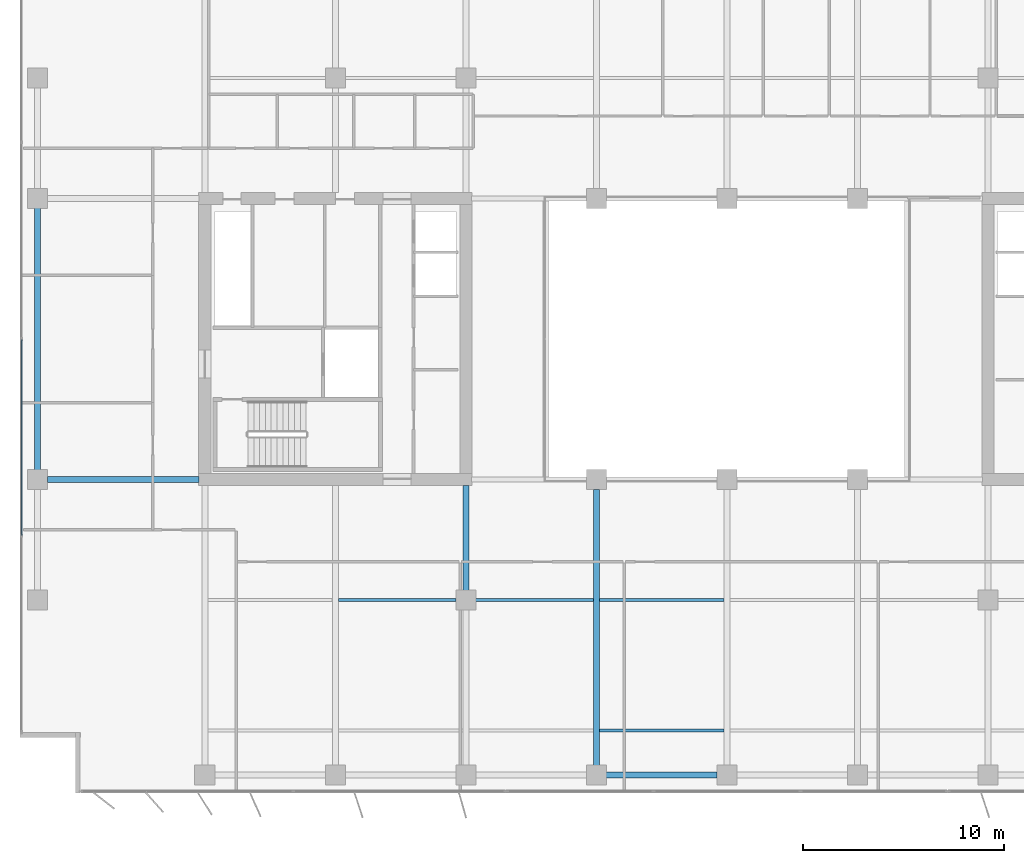
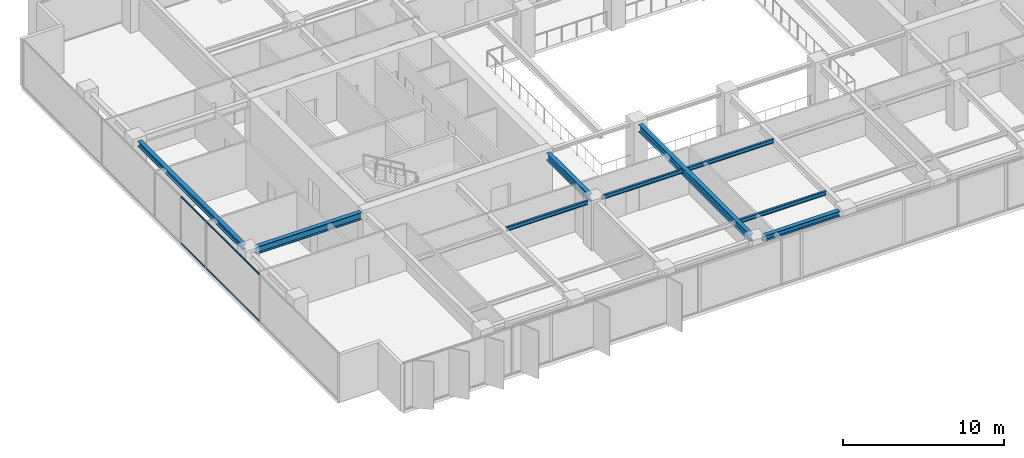
# One storey, part 3 of 22: 9 beams, 2 members, 1 element without a shape of its own.
"""IFC4 building model written with IfcOpenShell, lengths in metres."""

import ifcopenshell
import ifcopenshell.guid

model = None  # the IFC model being written
_history = None  # IfcOwnerHistory: only IFC2X3 demands one
_inside = {}  # id of a spatial element -> (the spatial element, [elements in it])
_under = {}  # id of a project, library or spatial element -> (it, [spatial elements below it])
_declared = {}  # id of a project -> (the project, [libraries it declares])
_typed = {}  # id of a type object -> (the type object, [elements of that type])
_made_of = {}  # id of a material, layer set ... -> (it, [elements and type objects made of it])


def new_model(schema):
    """Start an empty IFC model of exactly this schema.

    Asked for "IFC4X3", IfcOpenShell would pick the latest addendum, in which some entities
    have other attributes; the version numbers below select the first issue.
    IFC2X3 requires an IfcOwnerHistory on every rooted entity: one is made here for all.
    """
    global model, _history
    if schema == "IFC4X3":
        model = ifcopenshell.file(schema_version=(4, 3, 0, 0))
    else:
        model = ifcopenshell.file(schema=schema)
    _inside.clear()
    _under.clear()
    _declared.clear()
    _typed.clear()
    _made_of.clear()
    _history = None
    if model.schema == "IFC2X3":
        org = make("IfcOrganization", Name="unknown")
        user = make(
            "IfcPersonAndOrganization",
            ThePerson=make("IfcPerson", FamilyName="unknown"),
            TheOrganization=org,
        )
        app = make(
            "IfcApplication",
            ApplicationDeveloper=org,
            Version="unknown",
            ApplicationFullName="unknown",
            ApplicationIdentifier="unknown",
        )
        _history = make(
            "IfcOwnerHistory",
            OwningUser=user,
            OwningApplication=app,
            ChangeAction="ADDED",
            CreationDate=0,
        )
    return model


def make(cls, **values):
    """One entity of the class cls with the attributes given. An attribute that is None is left unset."""
    return model.create_entity(
        cls, **{name: value for name, value in values.items() if value is not None}
    )


def rooted(cls, **values):
    """An entity with a GlobalId (a new one), such as an element, a storey or a relation."""
    return make(cls, GlobalId=ifcopenshell.guid.new(), OwnerHistory=_history, **values)


def si_unit(unit_type, name, prefix=None):
    """IfcSIUnit, for example si_unit("LENGTHUNIT", "METRE", prefix="MILLI")."""
    return make("IfcSIUnit", UnitType=unit_type, Prefix=prefix, Name=name)


def assignment(units):
    """IfcUnitAssignment: the units of a project."""
    return None if units is None else make("IfcUnitAssignment", Units=units)


def point(xyz):
    """IfcCartesianPoint."""
    return None if xyz is None else make("IfcCartesianPoint", Coordinates=xyz)


def direction(xyz):
    """IfcDirection."""
    return None if xyz is None else make("IfcDirection", DirectionRatios=xyz)


def frame(location, z_axis=None, x_axis=None):
    """IfcAxis2Placement3D, a coordinate frame: its origin and axes. An axis left out is left unset."""
    return make(
        "IfcAxis2Placement3D",
        Location=point(location),
        Axis=direction(z_axis),
        RefDirection=direction(x_axis),
    )


def frame_2d(location, x_axis=None):
    """IfcAxis2Placement2D, a coordinate frame in the plane: its origin and x axis."""
    return make(
        "IfcAxis2Placement2D", Location=point(location), RefDirection=direction(x_axis)
    )


def origin():
    """The frame at (0, 0, 0) with its axes left unset."""
    return frame((0.0, 0.0, 0.0))


def origin_2d():
    """The frame at (0, 0) in the plane with its x axis left unset."""
    return frame_2d((0.0, 0.0))


def place(relative_to, where):
    """IfcLocalPlacement: puts the frame where relative to a parent placement (None: the world)."""
    return make(
        "IfcLocalPlacement", PlacementRelTo=relative_to, RelativePlacement=where
    )


def context(
    kind, dimensions, precision=None, world=None, true_north=None, identifier=None
):
    """IfcGeometricRepresentationContext, for example the 3D "Model" context."""
    return make(
        "IfcGeometricRepresentationContext",
        ContextIdentifier=identifier,
        ContextType=kind,
        CoordinateSpaceDimension=dimensions,
        Precision=precision,
        WorldCoordinateSystem=world,
        TrueNorth=true_north,
    )


def subcontext(parent, identifier, kind, view, scale=None):
    """IfcGeometricRepresentationSubContext, for example "Body" below "Model"."""
    return make(
        "IfcGeometricRepresentationSubContext",
        ContextIdentifier=identifier,
        ContextType=kind,
        ParentContext=parent,
        TargetScale=scale,
        TargetView=view,
    )


def project(units=None, contexts=None):
    """IfcProject with its units and contexts."""
    return rooted(
        "IfcProject",
        Name="project",
        RepresentationContexts=contexts,
        UnitsInContext=assignment(units),
    )


def spatial(cls, under=None, at=None, **own):
    """A site, building, storey or space (cls), placed at a placement, below another one or the project."""
    s = rooted(cls, ObjectPlacement=at, **own)
    if under is not None:
        _under.setdefault(under.id(), (under, []))[1].append(s)
    return s


def profile(cls, at=None, kind="AREA", **sizes):
    """A parametric profile (cls). Its sizes go by their IFC names, for example OverallWidth=200.0."""
    return make(cls, ProfileType=kind, Position=at, **sizes)


def rectangle(**sizes):
    """IfcRectangleProfileDef."""
    return profile("IfcRectangleProfileDef", **sizes)


def i_section(**sizes):
    """IfcIShapeProfileDef."""
    return profile("IfcIShapeProfileDef", **sizes)


def extrude(swept, where, along, depth):
    """IfcExtrudedAreaSolid: the profile swept, set in the frame where, extruded along a direction by depth."""
    return make(
        "IfcExtrudedAreaSolid",
        SweptArea=swept,
        Position=where,
        ExtrudedDirection=direction(along),
        Depth=depth,
    )


def shape(context_of_items, identifier, shape_type, items):
    """IfcShapeRepresentation: the items that make up one representation, for example the "Body"."""
    return make(
        "IfcShapeRepresentation",
        ContextOfItems=context_of_items,
        RepresentationIdentifier=identifier,
        RepresentationType=shape_type,
        Items=items,
    )


def material(Name=None, Category=None):
    """IfcMaterial."""
    return make("IfcMaterial", Name=Name, Category=Category)


def layer(
    of_material, thickness, ventilated=None, Name=None, Category=None, Priority=None
):
    """IfcMaterialLayer: one layer of a wall or slab, of a material (None: an air gap)."""
    return make(
        "IfcMaterialLayer",
        Material=of_material,
        LayerThickness=thickness,
        IsVentilated=ventilated,
        Name=Name,
        Category=Category,
        Priority=Priority,
    )


def layer_set(layers, Name=None):
    """IfcMaterialLayerSet."""
    return make("IfcMaterialLayerSet", MaterialLayers=layers, LayerSetName=Name)


def material_profile(
    of_material, cross_section, Name=None, Category=None, Priority=None
):
    """IfcMaterialProfile: a cross section and its material."""
    return make(
        "IfcMaterialProfile",
        Name=Name,
        Material=of_material,
        Profile=cross_section,
        Priority=Priority,
        Category=Category,
    )


def profile_set(profiles, Name=None, composite=None):
    """IfcMaterialProfileSet."""
    return make(
        "IfcMaterialProfileSet",
        Name=Name,
        MaterialProfiles=profiles,
        CompositeProfile=composite,
    )


def made_of(thing, what):
    """Note that an element or type object is made of a material, layer set ...; save() writes the relation."""
    if what is not None:
        _made_of.setdefault(what.id(), (what, []))[1].append(thing)
    return thing


def type_object(cls, material=None, **own):
    """A type object (cls), such as IfcWallType, which elements share."""
    return made_of(rooted(cls, **own), material)


def element(
    cls,
    number,
    at=None,
    inside=None,
    cuts=None,
    type_object=None,
    material=None,
    context=None,
    identifier="Body",
    shape_type=None,
    held_by="IfcProductDefinitionShape",
    body=None,
    shapes=None,
    **own,
):
    """One element of the class cls, such as IfcWall. Its Tag is "e" and its number.

    at: its placement. inside: the storey or other place that contains it. cuts: it is an
    opening in that element (IfcRelVoidsElement). A single representation is given by context,
    identifier, shape_type and body (its items); several are given by shapes. held_by: the class
    of the entity that holds the representations. save() writes the other relations.
    """
    e = rooted(cls, Tag="e%d" % number, ObjectPlacement=at, **own)
    if body is not None:
        shapes = [shape(context, identifier, shape_type, body)]
    if shapes is not None:
        e.Representation = make(held_by, Representations=shapes)
    if inside is not None:
        _inside.setdefault(inside.id(), (inside, []))[1].append(e)
    if cuts is not None:
        rooted(
            "IfcRelVoidsElement", RelatingBuildingElement=cuts, RelatedOpeningElement=e
        )
    if type_object is not None:
        _typed.setdefault(type_object.id(), (type_object, []))[1].append(e)
    return made_of(e, material)


def aggregate(whole, parts):
    """IfcRelAggregates: a whole, such as a stair, and the parts it consists of."""
    return rooted("IfcRelAggregates", RelatingObject=whole, RelatedObjects=parts)


def save(model, path):
    """Write the relations noted so far, then the file.

    IfcRelAggregates (storeys below a building ...), IfcRelContainedInSpatialStructure (elements
    in a storey), IfcRelDefinesByType, IfcRelAssociatesMaterial and IfcRelDeclares: one each for
    every whole, place, type object, material and project.
    """
    for whole, parts in _under.values():
        aggregate(whole, parts)
    for where, things in _inside.values():
        rooted(
            "IfcRelContainedInSpatialStructure",
            RelatedElements=things,
            RelatingStructure=where,
        )
    for kind, things in _typed.values():
        rooted("IfcRelDefinesByType", RelatedObjects=things, RelatingType=kind)
    for what, things in _made_of.values():
        rooted("IfcRelAssociatesMaterial", RelatedObjects=things, RelatingMaterial=what)
    for by, libraries in _declared.values():
        rooted("IfcRelDeclares", RelatingContext=by, RelatedDefinitions=libraries)
    model.write(path)


model = new_model("IFC4")

# Units and contexts
model_context = context("Model", 3, precision=1e-05, world=origin(), true_north=direction((0.0, 1.0)))
body_context = subcontext(model_context, "Body", "Model", "MODEL_VIEW")
ifc_project = project(units=[si_unit("LENGTHUNIT", "METRE"), si_unit("AREAUNIT", "SQUARE_METRE"), si_unit("VOLUMEUNIT", "CUBIC_METRE"), si_unit("PLANEANGLEUNIT", "RADIAN"), si_unit("MASSUNIT", "GRAM", prefix="KILO")], contexts=[model_context])

# Site, building, storey
site_placement = place(None, origin())
site = spatial("IfcSite", under=ifc_project, at=site_placement, CompositionType="ELEMENT")
building_placement = place(site_placement, origin())
building = spatial("IfcBuilding", under=site, at=building_placement, Name="Putna Gate Headquarters", CompositionType="ELEMENT")
storey_placement = place(building_placement, frame((0.0, 0.0, 189.800048828125)))
storey = spatial("IfcBuildingStorey", under=building, at=storey_placement, Name="L47", CompositionType="ELEMENT", Elevation=189.800048828125)

# Beams
ifc_material_1 = material(Name="Steel S355J2", Category="steel")
ifc_material_profile_1 = material_profile(ifc_material_1, i_section(OverallWidth=0.300048828125, OverallDepth=0.550048828125, WebThickness=0.014892578125, FlangeThickness=0.029052734375, at=origin_2d()), Name="Steel S355J2")
ifc_profile_set_1 = profile_set([ifc_material_profile_1], Name="Steel S355J2")
beam_type_1 = type_object("IfcBeamType", Name="BM-GIRD-Z3-HEB550", PredefinedType="USERDEFINED", material=ifc_profile_set_1)
beam_1_placement = place(storey_placement, frame((5.16796875, 19.0, 3.296875), z_axis=(1.0, 0.0, 0.0), x_axis=(0.0, 1.0, 0.0)))
element("IfcBeam", 1, at=beam_1_placement, inside=storey, type_object=beam_type_1, Name="L47 West Wing Girder Y19", ObjectType="GIRDER", PredefinedType="USERDEFINED", context=body_context, shape_type="SweptSolid", body=[
    extrude(i_section(OverallWidth=0.300048828125, OverallDepth=0.550048828125, WebThickness=0.014892578125, FlangeThickness=0.029052734375, at=origin_2d()), origin(), (0.0, 0.0, 1.0), 7.547119140625),
])
beam_2_placement = place(storey_placement, frame((26.0, 13.488037109375, 3.296875), z_axis=(0.0, 1.0, 0.0), x_axis=(-1.0, 0.0, 0.0)))
element("IfcBeam", 2, at=beam_2_placement, inside=storey, type_object=beam_type_1, Name="L47 South Primary Girder X26-2", ObjectType="GIRDER", PredefinedType="USERDEFINED", context=body_context, shape_type="SweptSolid", body=[
    extrude(i_section(OverallWidth=0.300048828125, OverallDepth=0.550048828125, WebThickness=0.014892578125, FlangeThickness=0.029052734375, at=origin_2d()), origin(), (0.0, 0.0, 1.0), 5.22705078125),
])
beam_3_placement = place(storey_placement, frame((32.5, 4.76806640625, 3.296875), z_axis=(0.0, 1.0, 0.0), x_axis=(-1.0, 0.0, 0.0)))
element("IfcBeam", 3, at=beam_3_placement, inside=storey, type_object=beam_type_1, Name="L47 South Primary Girder X32", ObjectType="GIRDER", PredefinedType="USERDEFINED", context=body_context, shape_type="SweptSolid", body=[
    extrude(i_section(OverallWidth=0.300048828125, OverallDepth=0.550048828125, WebThickness=0.014892578125, FlangeThickness=0.029052734375, at=origin_2d()), origin(), (0.0, 0.0, 1.0), 13.743896484375),
])
ifc_material_profile_2 = material_profile(ifc_material_1, i_section(OverallWidth=0.14990234375, OverallDepth=0.300048828125, WebThickness=0.007080078125, FlangeThickness=0.0107421875, at=origin_2d()), Name="Steel S355J2")
ifc_profile_set_2 = profile_set([ifc_material_profile_2], Name="Steel S355J2")
beam_type_2 = type_object("IfcBeamType", Name="BM-SEC-Z3-IPE300", PredefinedType="JOIST", material=ifc_profile_set_2)
for number, where, z_axis, x_axis, name in (
    (4, (19.654052734375, 13.0, 3.421875), (1.0, 0.0, 0.0), (0.0, 1.0, 0.0), "L47 South Secondary Beam 2"),
    (5, (26.488037109375, 13.0, 3.421875), (1.0, 0.0, 0.0), (0.0, 1.0, 0.0), "L47 South Secondary Beam 3"),
):
    element("IfcBeam", number, at=place(storey_placement, frame(where, z_axis=z_axis, x_axis=x_axis)), inside=storey, type_object=beam_type_2, Name=name, PredefinedType="JOIST", context=body_context, shape_type="SweptSolid", body=[
        extrude(i_section(OverallWidth=0.14990234375, OverallDepth=0.300048828125, WebThickness=0.007080078125, FlangeThickness=0.0107421875, at=origin_2d()), origin(), (0.0, 0.0, 1.0), 5.85791015625),
    ])
for number, where, z_axis, x_axis, name in (
    (6, (32.654052734375, 6.5, 3.421875), (1.0, 0.0, 0.0), (0.0, 1.0, 0.0), "L47 South Secondary Beam 4"),
    (7, (32.654052734375, 13.0, 3.421875), (1.0, 0.0, 0.0), (0.0, 1.0, 0.0), "L47 South Secondary Beam 4"),
):
    element("IfcBeam", number, at=place(storey_placement, frame(where, z_axis=z_axis, x_axis=x_axis)), inside=storey, type_object=beam_type_2, Name=name, PredefinedType="JOIST", context=body_context, shape_type="SweptSolid", body=[
        extrude(i_section(OverallWidth=0.14990234375, OverallDepth=0.300048828125, WebThickness=0.007080078125, FlangeThickness=0.0107421875, at=origin_2d()), origin(), (0.0, 0.0, 1.0), 6.19189453125),
    ])
ifc_material_profile_3 = material_profile(ifc_material_1, i_section(OverallWidth=0.300048828125, OverallDepth=0.39990234375, WebThickness=0.013427734375, FlangeThickness=0.02392578125, at=origin_2d()), Name="Steel S355J2")
ifc_profile_set_3 = profile_set([ifc_material_profile_3], Name="Steel S355J2")
beam_type_3 = type_object("IfcBeamType", Name="BM-SPAN-Z3-HEB400", PredefinedType="SPANDREL", material=ifc_profile_set_3)
beam_4_placement = place(storey_placement, frame((32.988037109375, 4.280029296875, 3.3720703125), z_axis=(1.0, 0.0, 0.0), x_axis=(0.0, 1.0, 0.0)))
element("IfcBeam", 8, at=beam_4_placement, inside=storey, type_object=beam_type_3, Name="L47 S Perimeter Spandrel 4", PredefinedType="SPANDREL", context=body_context, shape_type="SweptSolid", body=[
    extrude(i_section(OverallWidth=0.300048828125, OverallDepth=0.39990234375, WebThickness=0.013427734375, FlangeThickness=0.02392578125, at=origin_2d()), origin(), (0.0, 0.0, 1.0), 5.52392578125),
])
beam_5_placement = place(storey_placement, frame((4.679931640625, 19.488037109375, 3.3720703125), z_axis=(0.0, 1.0, 0.0), x_axis=(-1.0, 0.0, 0.0)))
element("IfcBeam", 9, at=beam_5_placement, inside=storey, type_object=beam_type_3, Name="L47 W End Spandrel 2", PredefinedType="SPANDREL", context=body_context, shape_type="SweptSolid", body=[
    extrude(i_section(OverallWidth=0.300048828125, OverallDepth=0.39990234375, WebThickness=0.013427734375, FlangeThickness=0.02392578125, at=origin_2d()), origin(), (0.0, 0.0, 1.0), 13.02392578125),
])

# Curtain wall, members
ifc_material_2 = material(Name="Anodised bronze aluminium curtain wall", Category="aluminium")
ifc_layer = layer(ifc_material_2, 0.159912109375)
ifc_layer_set = layer_set([ifc_layer], Name="Anodised bronze aluminium curtain wall")
curtain_wall_type = type_object("IfcCurtainWallType", Name="CW-SYS-Z3", PredefinedType="USERDEFINED", material=ifc_layer_set)
curtain_wall_placement = place(storey_placement, origin())
curtain_wall = element("IfcCurtainWall", 10, at=curtain_wall_placement, inside=storey, type_object=curtain_wall_type, Name="L47 West Curtain Wall", ObjectType="STICK CURTAIN WALL", PredefinedType="USERDEFINED")
ifc_material_3 = material(Name="Anodised bronze aluminium EN AW-6060", Category="aluminium")
ifc_material_profile_4 = material_profile(ifc_material_3, rectangle(XDim=0.06005859375, YDim=0.10009765625, at=origin_2d()), Name="Anodised bronze aluminium EN AW-6060")
ifc_profile_set_4 = profile_set([ifc_material_profile_4], Name="Anodised bronze aluminium EN AW-6060")
member_type = type_object("IfcMemberType", Name="TRAN-CWT-3", PredefinedType="USERDEFINED", material=ifc_profile_set_4)
member_1_placement = place(storey_placement, frame((3.8798828125, 16.232421875, 0.030029296875), z_axis=(0.0, 1.0, 0.0), x_axis=(-1.0, 0.0, 0.0)))
member_1 = element("IfcMember", 11, at=member_1_placement, type_object=member_type, Name="CWS-3 transom 2.1", ObjectType="TRANSOM", PredefinedType="USERDEFINED", context=body_context, shape_type="SweptSolid", body=[
    extrude(rectangle(XDim=0.06005859375, YDim=0.10009765625, at=origin_2d()), origin(), (0.0, 0.0, 1.0), 9.735107421875),
])
member_2_placement = place(storey_placement, frame((3.8798828125, 16.232421875, 3.5419921875), z_axis=(0.0, 1.0, 0.0), x_axis=(-1.0, 0.0, 0.0)))
member_2 = element("IfcMember", 12, at=member_2_placement, type_object=member_type, Name="CWS-3 transom 2.2", ObjectType="TRANSOM", PredefinedType="USERDEFINED", context=body_context, shape_type="SweptSolid", body=[
    extrude(rectangle(XDim=0.06005859375, YDim=0.10009765625, at=origin_2d()), origin(), (0.0, 0.0, 1.0), 9.735107421875),
])
aggregate(curtain_wall, [member_1, member_2])

save(model, "model.ifc")
